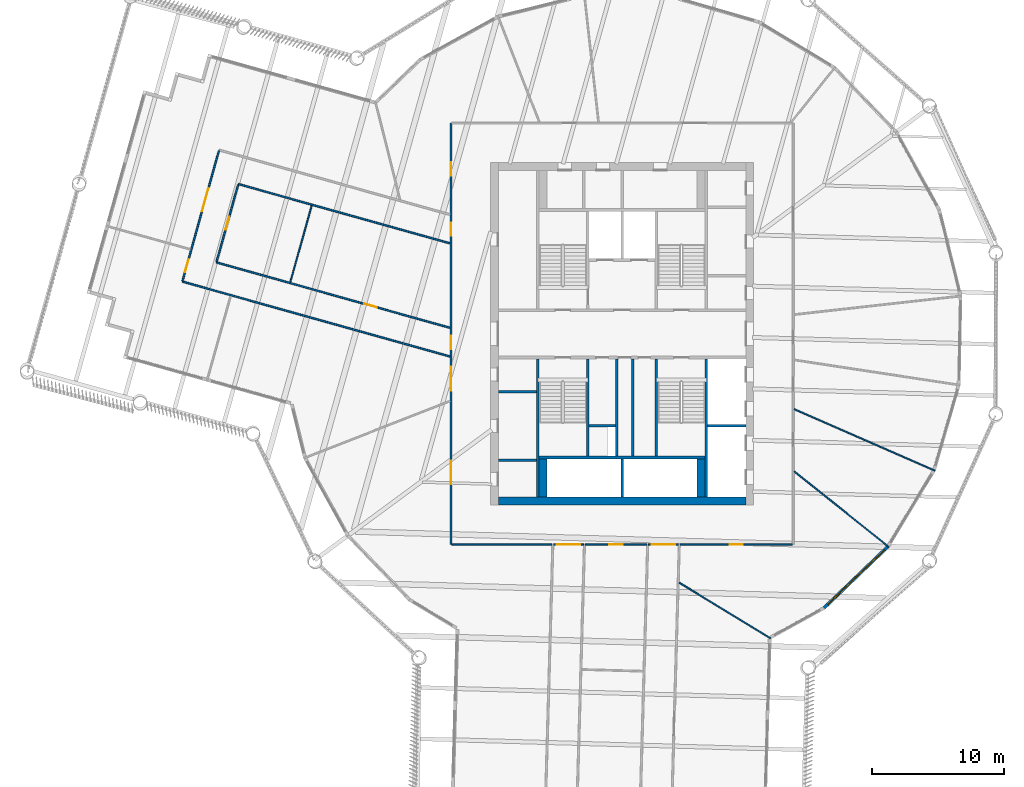
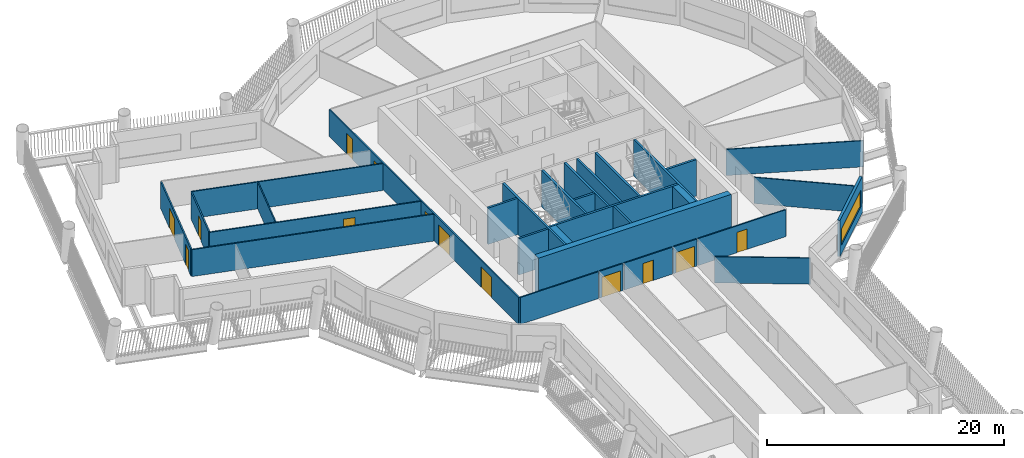
# One storey, part 4 of 15: 31 walls, 13 doors, 1 window, 14 openings.
"""IFC4 building model written with IfcOpenShell, lengths in metres."""

import ifcopenshell
import ifcopenshell.guid

model = None  # the IFC model being written
_history = None  # IfcOwnerHistory: only IFC2X3 demands one
_inside = {}  # id of a spatial element -> (the spatial element, [elements in it])
_under = {}  # id of a project, library or spatial element -> (it, [spatial elements below it])
_declared = {}  # id of a project -> (the project, [libraries it declares])
_typed = {}  # id of a type object -> (the type object, [elements of that type])
_made_of = {}  # id of a material, layer set ... -> (it, [elements and type objects made of it])


def new_model(schema):
    """Start an empty IFC model of exactly this schema.

    Asked for "IFC4X3", IfcOpenShell would pick the latest addendum, in which some entities
    have other attributes; the version numbers below select the first issue.
    IFC2X3 requires an IfcOwnerHistory on every rooted entity: one is made here for all.
    """
    global model, _history
    if schema == "IFC4X3":
        model = ifcopenshell.file(schema_version=(4, 3, 0, 0))
    else:
        model = ifcopenshell.file(schema=schema)
    _inside.clear()
    _under.clear()
    _declared.clear()
    _typed.clear()
    _made_of.clear()
    _history = None
    if model.schema == "IFC2X3":
        org = make("IfcOrganization", Name="unknown")
        user = make(
            "IfcPersonAndOrganization",
            ThePerson=make("IfcPerson", FamilyName="unknown"),
            TheOrganization=org,
        )
        app = make(
            "IfcApplication",
            ApplicationDeveloper=org,
            Version="unknown",
            ApplicationFullName="unknown",
            ApplicationIdentifier="unknown",
        )
        _history = make(
            "IfcOwnerHistory",
            OwningUser=user,
            OwningApplication=app,
            ChangeAction="ADDED",
            CreationDate=0,
        )
    return model


def make(cls, **values):
    """One entity of the class cls with the attributes given. An attribute that is None is left unset."""
    return model.create_entity(
        cls, **{name: value for name, value in values.items() if value is not None}
    )


def rooted(cls, **values):
    """An entity with a GlobalId (a new one), such as an element, a storey or a relation."""
    return make(cls, GlobalId=ifcopenshell.guid.new(), OwnerHistory=_history, **values)


def si_unit(unit_type, name, prefix=None):
    """IfcSIUnit, for example si_unit("LENGTHUNIT", "METRE", prefix="MILLI")."""
    return make("IfcSIUnit", UnitType=unit_type, Prefix=prefix, Name=name)


def assignment(units):
    """IfcUnitAssignment: the units of a project."""
    return None if units is None else make("IfcUnitAssignment", Units=units)


def point(xyz):
    """IfcCartesianPoint."""
    return None if xyz is None else make("IfcCartesianPoint", Coordinates=xyz)


def direction(xyz):
    """IfcDirection."""
    return None if xyz is None else make("IfcDirection", DirectionRatios=xyz)


def frame(location, z_axis=None, x_axis=None):
    """IfcAxis2Placement3D, a coordinate frame: its origin and axes. An axis left out is left unset."""
    return make(
        "IfcAxis2Placement3D",
        Location=point(location),
        Axis=direction(z_axis),
        RefDirection=direction(x_axis),
    )


def frame_2d(location, x_axis=None):
    """IfcAxis2Placement2D, a coordinate frame in the plane: its origin and x axis."""
    return make(
        "IfcAxis2Placement2D", Location=point(location), RefDirection=direction(x_axis)
    )


def origin():
    """The frame at (0, 0, 0) with its axes left unset."""
    return frame((0.0, 0.0, 0.0))


def place(relative_to, where):
    """IfcLocalPlacement: puts the frame where relative to a parent placement (None: the world)."""
    return make(
        "IfcLocalPlacement", PlacementRelTo=relative_to, RelativePlacement=where
    )


def context(
    kind, dimensions, precision=None, world=None, true_north=None, identifier=None
):
    """IfcGeometricRepresentationContext, for example the 3D "Model" context."""
    return make(
        "IfcGeometricRepresentationContext",
        ContextIdentifier=identifier,
        ContextType=kind,
        CoordinateSpaceDimension=dimensions,
        Precision=precision,
        WorldCoordinateSystem=world,
        TrueNorth=true_north,
    )


def subcontext(parent, identifier, kind, view, scale=None):
    """IfcGeometricRepresentationSubContext, for example "Body" below "Model"."""
    return make(
        "IfcGeometricRepresentationSubContext",
        ContextIdentifier=identifier,
        ContextType=kind,
        ParentContext=parent,
        TargetScale=scale,
        TargetView=view,
    )


def project(units=None, contexts=None):
    """IfcProject with its units and contexts."""
    return rooted(
        "IfcProject",
        Name="project",
        RepresentationContexts=contexts,
        UnitsInContext=assignment(units),
    )


def spatial(cls, under=None, at=None, **own):
    """A site, building, storey or space (cls), placed at a placement, below another one or the project."""
    s = rooted(cls, ObjectPlacement=at, **own)
    if under is not None:
        _under.setdefault(under.id(), (under, []))[1].append(s)
    return s


def profile(cls, at=None, kind="AREA", **sizes):
    """A parametric profile (cls). Its sizes go by their IFC names, for example OverallWidth=200.0."""
    return make(cls, ProfileType=kind, Position=at, **sizes)


def rectangle(**sizes):
    """IfcRectangleProfileDef."""
    return profile("IfcRectangleProfileDef", **sizes)


def extrude(swept, where, along, depth):
    """IfcExtrudedAreaSolid: the profile swept, set in the frame where, extruded along a direction by depth."""
    return make(
        "IfcExtrudedAreaSolid",
        SweptArea=swept,
        Position=where,
        ExtrudedDirection=direction(along),
        Depth=depth,
    )


def shape(context_of_items, identifier, shape_type, items):
    """IfcShapeRepresentation: the items that make up one representation, for example the "Body"."""
    return make(
        "IfcShapeRepresentation",
        ContextOfItems=context_of_items,
        RepresentationIdentifier=identifier,
        RepresentationType=shape_type,
        Items=items,
    )


def material(Name=None, Category=None):
    """IfcMaterial."""
    return make("IfcMaterial", Name=Name, Category=Category)


def layer(
    of_material, thickness, ventilated=None, Name=None, Category=None, Priority=None
):
    """IfcMaterialLayer: one layer of a wall or slab, of a material (None: an air gap)."""
    return make(
        "IfcMaterialLayer",
        Material=of_material,
        LayerThickness=thickness,
        IsVentilated=ventilated,
        Name=Name,
        Category=Category,
        Priority=Priority,
    )


def layer_set(layers, Name=None):
    """IfcMaterialLayerSet."""
    return make("IfcMaterialLayerSet", MaterialLayers=layers, LayerSetName=Name)


def made_of(thing, what):
    """Note that an element or type object is made of a material, layer set ...; save() writes the relation."""
    if what is not None:
        _made_of.setdefault(what.id(), (what, []))[1].append(thing)
    return thing


def type_object(cls, material=None, **own):
    """A type object (cls), such as IfcWallType, which elements share."""
    return made_of(rooted(cls, **own), material)


def element(
    cls,
    number,
    at=None,
    inside=None,
    cuts=None,
    type_object=None,
    material=None,
    context=None,
    identifier="Body",
    shape_type=None,
    held_by="IfcProductDefinitionShape",
    body=None,
    shapes=None,
    **own,
):
    """One element of the class cls, such as IfcWall. Its Tag is "e" and its number.

    at: its placement. inside: the storey or other place that contains it. cuts: it is an
    opening in that element (IfcRelVoidsElement). A single representation is given by context,
    identifier, shape_type and body (its items); several are given by shapes. held_by: the class
    of the entity that holds the representations. save() writes the other relations.
    """
    e = rooted(cls, Tag="e%d" % number, ObjectPlacement=at, **own)
    if body is not None:
        shapes = [shape(context, identifier, shape_type, body)]
    if shapes is not None:
        e.Representation = make(held_by, Representations=shapes)
    if inside is not None:
        _inside.setdefault(inside.id(), (inside, []))[1].append(e)
    if cuts is not None:
        rooted(
            "IfcRelVoidsElement", RelatingBuildingElement=cuts, RelatedOpeningElement=e
        )
    if type_object is not None:
        _typed.setdefault(type_object.id(), (type_object, []))[1].append(e)
    return made_of(e, material)


def fill(opening, filler):
    """IfcRelFillsElement: the door or window that sits in an opening."""
    return rooted(
        "IfcRelFillsElement",
        RelatingOpeningElement=opening,
        RelatedBuildingElement=filler,
    )


def aggregate(whole, parts):
    """IfcRelAggregates: a whole, such as a stair, and the parts it consists of."""
    return rooted("IfcRelAggregates", RelatingObject=whole, RelatedObjects=parts)


def save(model, path):
    """Write the relations noted so far, then the file.

    IfcRelAggregates (storeys below a building ...), IfcRelContainedInSpatialStructure (elements
    in a storey), IfcRelDefinesByType, IfcRelAssociatesMaterial and IfcRelDeclares: one each for
    every whole, place, type object, material and project.
    """
    for whole, parts in _under.values():
        aggregate(whole, parts)
    for where, things in _inside.values():
        rooted(
            "IfcRelContainedInSpatialStructure",
            RelatedElements=things,
            RelatingStructure=where,
        )
    for kind, things in _typed.values():
        rooted("IfcRelDefinesByType", RelatedObjects=things, RelatingType=kind)
    for what, things in _made_of.values():
        rooted("IfcRelAssociatesMaterial", RelatedObjects=things, RelatingMaterial=what)
    for by, libraries in _declared.values():
        rooted("IfcRelDeclares", RelatingContext=by, RelatedDefinitions=libraries)
    model.write(path)


model = new_model("IFC4")

# Units and contexts
model_context = context("Model", 3, precision=1e-05, world=origin(), true_north=direction((0.0, 1.0)))
body_context = subcontext(model_context, "Body", "Model", "MODEL_VIEW")
ifc_project = project(units=[si_unit("LENGTHUNIT", "METRE"), si_unit("AREAUNIT", "SQUARE_METRE"), si_unit("VOLUMEUNIT", "CUBIC_METRE"), si_unit("PLANEANGLEUNIT", "RADIAN"), si_unit("MASSUNIT", "GRAM", prefix="KILO")], contexts=[model_context])

# Site, building, storey
site_placement = place(None, origin())
site = spatial("IfcSite", under=ifc_project, at=site_placement, CompositionType="ELEMENT")
building_placement = place(site_placement, origin())
building = spatial("IfcBuilding", under=site, at=building_placement, Name="Tarsis Ring Headquarters", CompositionType="ELEMENT")
storey_placement = place(building_placement, frame((0.0, 0.0, 219.89990234375)))
storey = spatial("IfcBuildingStorey", under=building, at=storey_placement, Name="L51", CompositionType="ELEMENT", Elevation=219.89990234375)

# Walls
ifc_material_1 = material(Name="Blockwork", Category="masonry")
ifc_layer_1 = layer(ifc_material_1, 0.199951171875)
ifc_layer_set_1 = layer_set([ifc_layer_1], Name="Core blockwork wall 200")
wall_type_1 = type_object("IfcWallType", Name="Core blockwork wall 200", PredefinedType="PARTITIONING", material=ifc_layer_set_1)
for number, where, z_axis, x_axis, name in (
    (1, (-9.39990234375, -9.60009765625, 0.0), (0.0, 0.0, 1.0), (1.0, 0.0, 0.0), "Core partition WD1"),
    (2, (-9.39990234375, -4.39990234375, 0.0), (0.0, 0.0, 1.0), (1.0, 0.0, 0.0), "Core partition WD3"),
):
    element("IfcWall", number, at=place(storey_placement, frame(where, z_axis=z_axis, x_axis=x_axis)), inside=storey, type_object=wall_type_1, Name=name, PredefinedType="PARTITIONING", context=body_context, shape_type="SweptSolid", body=[
        extrude(rectangle(XDim=2.89990234375, YDim=0.199951171875, at=frame_2d((1.449951171875, 0.0))), origin(), (0.0, 0.0, 1.0), 3.739990234375),
    ])
wall_1_placement = place(storey_placement, frame((-2.5, -7.0, 0.0), z_axis=(0.0, 0.0, 1.0), x_axis=(1.0, 0.0, 0.0)))
element("IfcWall", 3, at=wall_1_placement, inside=storey, type_object=wall_type_1, Name="Core partition SP1", PredefinedType="PARTITIONING", context=body_context, shape_type="SweptSolid", body=[
    extrude(rectangle(XDim=2.0, YDim=0.199951171875, at=frame_2d((1.0, 0.0))), origin(), (0.0, 0.0, 1.0), 3.739990234375),
])
for number, where, z_axis, x_axis, name in (
    (4, (-0.39990234375, -9.300048828125, 0.0), (0.0, 0.0, 1.0), (0.0, 1.0, 0.0), "Core partition SV1"),
    (5, (0.800048828125, -9.300048828125, 0.0), (0.0, 0.0, 1.0), (0.0, 1.0, 0.0), "Core partition SV2"),
):
    element("IfcWall", number, at=place(storey_placement, frame(where, z_axis=z_axis, x_axis=x_axis)), inside=storey, type_object=wall_type_1, Name=name, PredefinedType="PARTITIONING", context=body_context, shape_type="SweptSolid", body=[
        extrude(rectangle(XDim=7.400146484375, YDim=0.199951171875, at=frame_2d((3.7001953125, 0.0))), origin(), (0.0, 0.0, 1.0), 3.739990234375),
    ])
ifc_material_2 = material(Name="Concrete C50/60", Category="concrete")
ifc_layer_2 = layer(ifc_material_2, 0.60009765625)
ifc_layer_set_2 = layer_set([ifc_layer_2], Name="Core wall 600 C50/60")
wall_type_2 = type_object("IfcWallType", Name="Core wall 600 C50/60", PredefinedType="SHEAR", material=ifc_layer_set_2)
wall_2_placement = place(storey_placement, frame((-9.39990234375, -12.699951171875, 0.0), z_axis=(0.0, 0.0, 1.0), x_axis=(1.0, 0.0, 0.0)))
element("IfcWall", 6, at=wall_2_placement, inside=storey, type_object=wall_type_2, Name="Core wall OS", PredefinedType="SHEAR", context=body_context, shape_type="SweptSolid", body=[
    extrude(rectangle(XDim=18.7998046875, YDim=0.60009765625, at=frame_2d((9.39990234375, 0.0))), origin(), (0.0, 0.0, 1.0), 3.739990234375),
])
ifc_material_3 = material(Name="Gypsum board on steel studs", Category="steel")
ifc_layer_3 = layer(ifc_material_3, 0.10009765625)
ifc_layer_set_3 = layer_set([ifc_layer_3], Name="FL partition 100 unrated")
wall_type_3 = type_object("IfcWallType", Name="FL partition 100 unrated", PredefinedType="PARTITIONING", material=ifc_layer_set_3)
wall_3_placement = place(storey_placement, frame((13.0732421875, -5.722412109375, 0.0), z_axis=(0.0, 0.0, 1.0), x_axis=(0.916084383298, -0.400985539238, 0.0)))
element("IfcWall", 7, at=wall_3_placement, inside=storey, type_object=wall_type_3, Name="Partition PW3", PredefinedType="PARTITIONING", context=body_context, shape_type="SweptSolid", body=[
    extrude(rectangle(XDim=11.67724609375, YDim=0.10009765625, at=frame_2d((5.838623046875, 0.0))), origin(), (0.0, 0.0, 1.0), 2.7001953125),
])
wall_4_placement = place(storey_placement, frame((13.0859375, -10.461181640625, 0.0), z_axis=(0.0, 0.0, 1.0), x_axis=(0.781086368066, -0.624423002156, 0.0)))
element("IfcWall", 8, at=wall_4_placement, inside=storey, type_object=wall_type_3, Name="Partition PW3", PredefinedType="PARTITIONING", context=body_context, shape_type="SweptSolid", body=[
    extrude(rectangle(XDim=9.1943359375, YDim=0.10009765625, at=frame_2d((4.59716796875, 0.0))), origin(), (0.0, 0.0, 1.0), 2.7001953125),
])
wall_5_placement = place(storey_placement, frame((4.340087890625, -18.907958984375, 0.0), z_axis=(0.0, 0.0, 1.0), x_axis=(0.853646762004, -0.520852383809, 0.0)))
element("IfcWall", 9, at=wall_5_placement, inside=storey, type_object=wall_type_3, Name="Partition PW3", PredefinedType="PARTITIONING", context=body_context, shape_type="SweptSolid", body=[
    extrude(rectangle(XDim=8.115234375, YDim=0.10009765625, at=frame_2d((4.0576171875, 0.0))), origin(), (0.0, 0.0, 1.0), 2.7001953125),
])
wall_6_placement = place(storey_placement, frame((-25.206298828125, 3.920654296875, 0.0), z_axis=(0.0, 0.0, 1.0), x_axis=(0.269602938613, 0.96297157564, 0.0)))
element("IfcWall", 10, at=wall_6_placement, inside=storey, type_object=wall_type_3, Name="Partition PW3", PredefinedType="PARTITIONING", context=body_context, shape_type="SweptSolid", body=[
    extrude(rectangle(XDim=6.0400390625, YDim=0.10009765625, at=frame_2d((3.02001953125, 0.0))), origin(), (0.0, 0.0, 1.0), 2.7001953125),
])

# Wall, openings, doors
ifc_layer_4 = layer(ifc_material_3, 0.125)
ifc_layer_set_4 = layer_set([ifc_layer_4], Name="FL partition 125 EI 60 H2770")
wall_type_4 = type_object("IfcWallType", Name="FL partition 125 EI 60 H2770", PredefinedType="PARTITIONING", material=ifc_layer_set_4)
wall_7_placement = place(storey_placement, frame((-13.0, -15.998046875, 0.0), z_axis=(0.0, 0.0, 1.0), x_axis=(0.0, 1.0, 0.0)))
wall_7 = element("IfcWall", 11, at=wall_7_placement, inside=storey, type_object=wall_type_4, Name="Partition PW1", PredefinedType="PARTITIONING", context=body_context, shape_type="SweptSolid", body=[
    extrude(rectangle(XDim=31.998046875, YDim=0.125, at=frame_2d((15.9990234375, 0.0))), origin(), (0.0, 0.0, 1.0), 2.77001953125),
])
opening_1_placement = place(wall_7_placement, frame((28.012451171875, 0.0, 0.0)))
opening_1 = element("IfcOpeningElement", 12, at=opening_1_placement, cuts=wall_7, Name="Opening D51.03", PredefinedType="OPENING", context=body_context, shape_type="SweptSolid", body=[
    extrude(rectangle(XDim=1.0, YDim=2.10009765625, at=frame_2d((0.5, 1.050048828125))), frame((0.0, 0.072509765625, 0.0), z_axis=(0.0, -1.0, 0.0), x_axis=(1.0, 0.0, 0.0)), (0.0, 0.0, 1.0), 0.14501953125),
])
opening_2_placement = place(wall_7_placement, frame((4.556884765625, 0.0, 0.0)))
opening_2 = element("IfcOpeningElement", 13, at=opening_2_placement, cuts=wall_7, Name="Opening D51.14", PredefinedType="OPENING", context=body_context, shape_type="SweptSolid", body=[
    extrude(rectangle(XDim=1.800048828125, YDim=2.10009765625, at=frame_2d((0.89990234375, 1.050048828125))), frame((0.0, 0.072509765625, 0.0), z_axis=(0.0, -1.0, 0.0), x_axis=(1.0, 0.0, 0.0)), (0.0, 0.0, 1.0), 0.14501953125),
])
opening_3_placement = place(wall_7_placement, frame((11.680908203125, 0.0, 0.0)))
opening_3 = element("IfcOpeningElement", 14, at=opening_3_placement, cuts=wall_7, Name="Opening D51.15", PredefinedType="OPENING", context=body_context, shape_type="SweptSolid", body=[
    extrude(rectangle(XDim=1.800048828125, YDim=2.10009765625, at=frame_2d((0.89990234375, 1.050048828125))), frame((0.0, 0.072509765625, 0.0), z_axis=(0.0, -1.0, 0.0), x_axis=(1.0, 0.0, 0.0)), (0.0, 0.0, 1.0), 0.14501953125),
])
opening_4_placement = place(wall_7_placement, frame((14.83837890625, 0.0, 0.0)))
opening_4 = element("IfcOpeningElement", 15, at=opening_4_placement, cuts=wall_7, Name="Opening D51.22", PredefinedType="OPENING", context=body_context, shape_type="SweptSolid", body=[
    extrude(rectangle(XDim=1.0, YDim=2.10009765625, at=frame_2d((0.5, 1.050048828125))), frame((0.0, 0.072509765625, 0.0), z_axis=(0.0, -1.0, 0.0), x_axis=(1.0, 0.0, 0.0)), (0.0, 0.0, 1.0), 0.14501953125),
])
opening_5_placement = place(wall_7_placement, frame((23.4365234375, 0.0, 0.0)))
opening_5 = element("IfcOpeningElement", 16, at=opening_5_placement, cuts=wall_7, Name="Opening D51.23", PredefinedType="OPENING", context=body_context, shape_type="SweptSolid", body=[
    extrude(rectangle(XDim=1.0, YDim=2.10009765625, at=frame_2d((0.5, 1.050048828125))), frame((0.0, 0.072509765625, 0.0), z_axis=(0.0, -1.0, 0.0), x_axis=(1.0, 0.0, 0.0)), (0.0, 0.0, 1.0), 0.14501953125),
])
ifc_material_4 = material(Name="Fire-rated timber door leaf in steel frame", Category="steel")
door_type_1 = type_object("IfcDoorType", Name="FL door FD60-1000", OperationType="NOTDEFINED", PredefinedType="DOOR", material=ifc_material_4)
door_1_placement = place(opening_1_placement, origin())
door_1 = element("IfcDoor", 17, at=door_1_placement, inside=storey, type_object=door_type_1, Name="Door D51.03", OperationType="SINGLE_SWING_RIGHT", OverallHeight=2.10009765625, OverallWidth=1.0, PredefinedType="DOOR", context=body_context, shape_type="SweptSolid", body=[
    extrude(rectangle(XDim=1.0, YDim=2.10009765625, at=frame_2d((0.5, 1.050048828125))), frame((0.0, 0.02490234375, 0.0), z_axis=(0.0, -1.0, 0.0), x_axis=(1.0, 0.0, 0.0)), (0.0, 0.0, 1.0), 0.050048828125),
])
fill(opening_1, door_1)
door_2_placement = place(opening_4_placement, origin())
door_2 = element("IfcDoor", 18, at=door_2_placement, inside=storey, type_object=door_type_1, Name="Door D51.22", OperationType="SINGLE_SWING_LEFT", OverallHeight=2.10009765625, OverallWidth=1.0, PredefinedType="DOOR", context=body_context, shape_type="SweptSolid", body=[
    extrude(rectangle(XDim=1.0, YDim=2.10009765625, at=frame_2d((0.5, 1.050048828125))), frame((0.0, 0.02490234375, 0.0), z_axis=(0.0, -1.0, 0.0), x_axis=(1.0, 0.0, 0.0)), (0.0, 0.0, 1.0), 0.050048828125),
])
fill(opening_4, door_2)
door_3_placement = place(opening_5_placement, origin())
door_3 = element("IfcDoor", 19, at=door_3_placement, inside=storey, type_object=door_type_1, Name="Door D51.23", OperationType="SINGLE_SWING_RIGHT", OverallHeight=2.10009765625, OverallWidth=1.0, PredefinedType="DOOR", context=body_context, shape_type="SweptSolid", body=[
    extrude(rectangle(XDim=1.0, YDim=2.10009765625, at=frame_2d((0.5, 1.050048828125))), frame((0.0, 0.02490234375, 0.0), z_axis=(0.0, -1.0, 0.0), x_axis=(1.0, 0.0, 0.0)), (0.0, 0.0, 1.0), 0.050048828125),
])
fill(opening_5, door_3)
door_type_2 = type_object("IfcDoorType", Name="FL door FD60-1800", OperationType="DOUBLE_DOOR_SINGLE_SWING", PredefinedType="DOOR", material=ifc_material_4)
door_4_placement = place(opening_2_placement, origin())
door_4 = element("IfcDoor", 20, at=door_4_placement, inside=storey, type_object=door_type_2, Name="Door D51.14", OperationType="DOUBLE_DOOR_SINGLE_SWING", OverallHeight=2.10009765625, OverallWidth=1.800048828125, PredefinedType="DOOR", context=body_context, shape_type="SweptSolid", body=[
    extrude(rectangle(XDim=1.800048828125, YDim=2.10009765625, at=frame_2d((0.89990234375, 1.050048828125))), frame((0.0, 0.02490234375, 0.0), z_axis=(0.0, -1.0, 0.0), x_axis=(1.0, 0.0, 0.0)), (0.0, 0.0, 1.0), 0.050048828125),
])
fill(opening_2, door_4)
door_5_placement = place(opening_3_placement, origin())
door_5 = element("IfcDoor", 21, at=door_5_placement, inside=storey, type_object=door_type_2, Name="Door D51.15", OperationType="DOUBLE_DOOR_SINGLE_SWING", OverallHeight=2.10009765625, OverallWidth=1.800048828125, PredefinedType="DOOR", context=body_context, shape_type="SweptSolid", body=[
    extrude(rectangle(XDim=1.800048828125, YDim=2.10009765625, at=frame_2d((0.89990234375, 1.050048828125))), frame((0.0, 0.02490234375, 0.0), z_axis=(0.0, -1.0, 0.0), x_axis=(1.0, 0.0, 0.0)), (0.0, 0.0, 1.0), 0.050048828125),
])
fill(opening_3, door_5)

# Wall
wall_8_placement = place(storey_placement, frame((-12.93798828125, -16.0, 0.0), z_axis=(0.0, 0.0, 1.0), x_axis=(1.0, 0.0, 0.0)))
element("IfcWall", 22, at=wall_8_placement, inside=storey, type_object=wall_type_4, Name="Partition PW1", PredefinedType="PARTITIONING", context=body_context, shape_type="SweptSolid", body=[
    extrude(rectangle(XDim=7.613525390625, YDim=0.125, at=frame_2d((3.806640625, 0.0))), origin(), (0.0, 0.0, 1.0), 2.77001953125),
])

# Wall, opening, door
wall_9_placement = place(storey_placement, frame((-5.197509765625, -16.0, 0.0), z_axis=(0.0, 0.0, 1.0), x_axis=(1.0, 0.0, 0.0)))
wall_9 = element("IfcWall", 23, at=wall_9_placement, inside=storey, type_object=wall_type_4, Name="Partition PW1", PredefinedType="PARTITIONING", context=body_context, shape_type="SweptSolid", body=[
    extrude(rectangle(XDim=2.274169921875, YDim=0.125, at=frame_2d((1.13720703125, 0.0))), origin(), (0.0, 0.0, 1.0), 2.77001953125),
])
opening_6_placement = place(wall_9_placement, frame((0.238037109375, 0.0, 0.0)))
opening_6 = element("IfcOpeningElement", 24, at=opening_6_placement, cuts=wall_9, Name="Opening D51.20", PredefinedType="OPENING", context=body_context, shape_type="SweptSolid", body=[
    extrude(rectangle(XDim=1.800048828125, YDim=2.10009765625, at=frame_2d((0.89990234375, 1.050048828125))), frame((0.0, 0.072509765625, 0.0), z_axis=(0.0, -1.0, 0.0), x_axis=(1.0, 0.0, 0.0)), (0.0, 0.0, 1.0), 0.14501953125),
])
door_6_placement = place(opening_6_placement, origin())
door_6 = element("IfcDoor", 25, at=door_6_placement, inside=storey, type_object=door_type_2, Name="Door D51.20", OperationType="DOUBLE_DOOR_SINGLE_SWING", OverallHeight=2.10009765625, OverallWidth=1.800048828125, PredefinedType="DOOR", context=body_context, shape_type="SweptSolid", body=[
    extrude(rectangle(XDim=1.800048828125, YDim=2.10009765625, at=frame_2d((0.89990234375, 1.050048828125))), frame((0.0, 0.02490234375, 0.0), z_axis=(0.0, -1.0, 0.0), x_axis=(1.0, 0.0, 0.0)), (0.0, 0.0, 1.0), 0.050048828125),
])
fill(opening_6, door_6)

wall_10_placement = place(storey_placement, frame((-2.796630859375, -16.0, 0.0), z_axis=(0.0, 0.0, 1.0), x_axis=(1.0, 0.0, 0.0)))
wall_10 = element("IfcWall", 26, at=wall_10_placement, inside=storey, type_object=wall_type_4, Name="Partition PW1", PredefinedType="PARTITIONING", context=body_context, shape_type="SweptSolid", body=[
    extrude(rectangle(XDim=4.67529296875, YDim=0.125, at=frame_2d((2.337646484375, 0.0))), origin(), (0.0, 0.0, 1.0), 2.77001953125),
])
opening_7_placement = place(wall_10_placement, frame((1.83837890625, 0.0, 0.0)))
opening_7 = element("IfcOpeningElement", 27, at=opening_7_placement, cuts=wall_10, Name="Opening D51.18", PredefinedType="OPENING", context=body_context, shape_type="SweptSolid", body=[
    extrude(rectangle(XDim=1.0, YDim=2.10009765625, at=frame_2d((0.5, 1.050048828125))), frame((0.0, 0.072509765625, 0.0), z_axis=(0.0, -1.0, 0.0), x_axis=(1.0, 0.0, 0.0)), (0.0, 0.0, 1.0), 0.14501953125),
])
door_7_placement = place(opening_7_placement, origin())
door_7 = element("IfcDoor", 28, at=door_7_placement, inside=storey, type_object=door_type_1, Name="Door D51.18", OperationType="SINGLE_SWING_LEFT", OverallHeight=2.10009765625, OverallWidth=1.0, PredefinedType="DOOR", context=body_context, shape_type="SweptSolid", body=[
    extrude(rectangle(XDim=1.0, YDim=2.10009765625, at=frame_2d((0.5, 1.050048828125))), frame((0.0, 0.02490234375, 0.0), z_axis=(0.0, -1.0, 0.0), x_axis=(1.0, 0.0, 0.0)), (0.0, 0.0, 1.0), 0.050048828125),
])
fill(opening_7, door_7)

wall_11_placement = place(storey_placement, frame((2.00537109375, -16.0, 0.0), z_axis=(0.0, 0.0, 1.0), x_axis=(1.0, 0.0, 0.0)))
wall_11 = element("IfcWall", 29, at=wall_11_placement, inside=storey, type_object=wall_type_4, Name="Partition PW1", PredefinedType="PARTITIONING", context=body_context, shape_type="SweptSolid", body=[
    extrude(rectangle(XDim=2.274169921875, YDim=0.125, at=frame_2d((1.13720703125, 0.0))), origin(), (0.0, 0.0, 1.0), 2.77001953125),
])
opening_8_placement = place(wall_11_placement, frame((0.238037109375, 0.0, 0.0)))
opening_8 = element("IfcOpeningElement", 30, at=opening_8_placement, cuts=wall_11, Name="Opening D51.21", PredefinedType="OPENING", context=body_context, shape_type="SweptSolid", body=[
    extrude(rectangle(XDim=1.800048828125, YDim=2.10009765625, at=frame_2d((0.89990234375, 1.050048828125))), frame((0.0, 0.072509765625, 0.0), z_axis=(0.0, -1.0, 0.0), x_axis=(1.0, 0.0, 0.0)), (0.0, 0.0, 1.0), 0.14501953125),
])
door_8_placement = place(opening_8_placement, origin())
door_8 = element("IfcDoor", 31, at=door_8_placement, inside=storey, type_object=door_type_2, Name="Door D51.21", OperationType="DOUBLE_DOOR_SINGLE_SWING", OverallHeight=2.10009765625, OverallWidth=1.800048828125, PredefinedType="DOOR", context=body_context, shape_type="SweptSolid", body=[
    extrude(rectangle(XDim=1.800048828125, YDim=2.10009765625, at=frame_2d((0.89990234375, 1.050048828125))), frame((0.0, 0.02490234375, 0.0), z_axis=(0.0, -1.0, 0.0), x_axis=(1.0, 0.0, 0.0)), (0.0, 0.0, 1.0), 0.050048828125),
])
fill(opening_8, door_8)

wall_12_placement = place(storey_placement, frame((4.40625, -16.0, 0.0), z_axis=(0.0, 0.0, 1.0), x_axis=(1.0, 0.0, 0.0)))
wall_12 = element("IfcWall", 32, at=wall_12_placement, inside=storey, type_object=wall_type_4, Name="Partition PW1", PredefinedType="PARTITIONING", context=body_context, shape_type="SweptSolid", body=[
    extrude(rectangle(XDim=8.53369140625, YDim=0.125, at=frame_2d((4.266845703125, 0.0))), origin(), (0.0, 0.0, 1.0), 2.77001953125),
])
opening_9_placement = place(wall_12_placement, frame((3.765625, 0.0, 0.0)))
opening_9 = element("IfcOpeningElement", 33, at=opening_9_placement, cuts=wall_12, Name="Opening D51.10", PredefinedType="OPENING", context=body_context, shape_type="SweptSolid", body=[
    extrude(rectangle(XDim=1.0, YDim=2.10009765625, at=frame_2d((0.5, 1.050048828125))), frame((0.0, 0.072509765625, 0.0), z_axis=(0.0, -1.0, 0.0), x_axis=(1.0, 0.0, 0.0)), (0.0, 0.0, 1.0), 0.14501953125),
])
door_9_placement = place(opening_9_placement, origin())
door_9 = element("IfcDoor", 34, at=door_9_placement, inside=storey, type_object=door_type_1, Name="Door D51.10", OperationType="SINGLE_SWING_LEFT", OverallHeight=2.10009765625, OverallWidth=1.0, PredefinedType="DOOR", context=body_context, shape_type="SweptSolid", body=[
    extrude(rectangle(XDim=1.0, YDim=2.10009765625, at=frame_2d((0.5, 1.050048828125))), frame((0.0, 0.02490234375, 0.0), z_axis=(0.0, -1.0, 0.0), x_axis=(1.0, 0.0, 0.0)), (0.0, 0.0, 1.0), 0.050048828125),
])
fill(opening_9, door_9)

# Wall
wall_13_placement = place(storey_placement, frame((-33.408447265625, 3.96337890625, 0.0), z_axis=(0.0, 0.0, 1.0), x_axis=(0.962975547906, -0.269588750017, 0.0)))
element("IfcWall", 35, at=wall_13_placement, inside=storey, type_object=wall_type_4, Name="Partition PW1", PredefinedType="PARTITIONING", context=body_context, shape_type="SweptSolid", body=[
    extrude(rectangle(XDim=21.11328125, YDim=0.125, at=frame_2d((10.556640625, 0.0))), origin(), (0.0, 0.0, 1.0), 2.77001953125),
])

# Wall, opening, door
wall_14_placement = place(storey_placement, frame((-30.820068359375, 5.41943359375, 0.0), z_axis=(0.0, 0.0, 1.0), x_axis=(0.96297530321, -0.269589624073, 0.0)))
wall_14 = element("IfcWall", 36, at=wall_14_placement, inside=storey, type_object=wall_type_4, Name="Partition PW1", PredefinedType="PARTITIONING", context=body_context, shape_type="SweptSolid", body=[
    extrude(rectangle(XDim=18.42529296875, YDim=0.125, at=frame_2d((9.212646484375, 0.0))), origin(), (0.0, 0.0, 1.0), 2.77001953125),
])
opening_10_placement = place(wall_14_placement, frame((11.65771484375, 0.0, 0.0)))
opening_10 = element("IfcOpeningElement", 37, at=opening_10_placement, cuts=wall_14, Name="Opening D51.16", PredefinedType="OPENING", context=body_context, shape_type="SweptSolid", body=[
    extrude(rectangle(XDim=1.0, YDim=2.10009765625, at=frame_2d((0.5, 1.050048828125))), frame((0.0, 0.072509765625, 0.0), z_axis=(0.0, -1.0, 0.0), x_axis=(1.0, 0.0, 0.0)), (0.0, 0.0, 1.0), 0.14501953125),
])
door_10_placement = place(opening_10_placement, origin())
door_10 = element("IfcDoor", 38, at=door_10_placement, inside=storey, type_object=door_type_1, Name="Door D51.16", OperationType="SINGLE_SWING_LEFT", OverallHeight=2.10009765625, OverallWidth=1.0, PredefinedType="DOOR", context=body_context, shape_type="SweptSolid", body=[
    extrude(rectangle(XDim=1.0, YDim=2.10009765625, at=frame_2d((0.5, 1.050048828125))), frame((0.0, 0.02490234375, 0.0), z_axis=(0.0, -1.0, 0.0), x_axis=(1.0, 0.0, 0.0)), (0.0, 0.0, 1.0), 0.050048828125),
])
fill(opening_10, door_10)

# Wall
wall_15_placement = place(storey_placement, frame((-29.154052734375, 11.37060546875, 0.0), z_axis=(0.0, 0.0, 1.0), x_axis=(0.962977535349, -0.269581650734, 0.0)))
element("IfcWall", 39, at=wall_15_placement, inside=storey, type_object=wall_type_4, Name="Partition PW1", PredefinedType="PARTITIONING", context=body_context, shape_type="SweptSolid", body=[
    extrude(rectangle(XDim=16.6953125, YDim=0.125, at=frame_2d((8.34765625, 0.0))), origin(), (0.0, 0.0, 1.0), 2.77001953125),
])

# Wall, openings, doors
wall_16_placement = place(storey_placement, frame((-33.392333984375, 4.021240234375, 0.0), z_axis=(0.0, 0.0, 1.0), x_axis=(0.269600799097, 0.962972174638, 0.0)))
wall_16 = element("IfcWall", 40, at=wall_16_placement, inside=storey, type_object=wall_type_4, Name="Partition PW1", PredefinedType="PARTITIONING", context=body_context, shape_type="SweptSolid", body=[
    extrude(rectangle(XDim=10.260009765625, YDim=0.125, at=frame_2d((5.1298828125, 0.0))), origin(), (0.0, 0.0, 1.0), 2.77001953125),
])
opening_11_placement = place(wall_16_placement, frame((0.70166015625, 0.0, 0.0)))
opening_11 = element("IfcOpeningElement", 41, at=opening_11_placement, cuts=wall_16, Name="Opening D51.01", PredefinedType="OPENING", context=body_context, shape_type="SweptSolid", body=[
    extrude(rectangle(XDim=1.0, YDim=2.10009765625, at=frame_2d((0.5, 1.050048828125))), frame((0.0, 0.072509765625, 0.0), z_axis=(0.0, -1.0, 0.0), x_axis=(1.0, 0.0, 0.0)), (0.0, 0.0, 1.0), 0.14501953125),
])
opening_12_placement = place(wall_16_placement, frame((5.49169921875, 0.0, 0.0)))
opening_12 = element("IfcOpeningElement", 42, at=opening_12_placement, cuts=wall_16, Name="Opening D51.02", PredefinedType="OPENING", context=body_context, shape_type="SweptSolid", body=[
    extrude(rectangle(XDim=1.800048828125, YDim=2.10009765625, at=frame_2d((0.89990234375, 1.050048828125))), frame((0.0, 0.072509765625, 0.0), z_axis=(0.0, -1.0, 0.0), x_axis=(1.0, 0.0, 0.0)), (0.0, 0.0, 1.0), 0.14501953125),
])
door_11_placement = place(opening_11_placement, origin())
door_11 = element("IfcDoor", 43, at=door_11_placement, inside=storey, type_object=door_type_1, Name="Door D51.01", OperationType="SINGLE_SWING_RIGHT", OverallHeight=2.10009765625, OverallWidth=1.0, PredefinedType="DOOR", context=body_context, shape_type="SweptSolid", body=[
    extrude(rectangle(XDim=1.0, YDim=2.10009765625, at=frame_2d((0.5, 1.050048828125))), frame((0.0, 0.02490234375, 0.0), z_axis=(0.0, -1.0, 0.0), x_axis=(1.0, 0.0, 0.0)), (0.0, 0.0, 1.0), 0.050048828125),
])
fill(opening_11, door_11)
door_12_placement = place(opening_12_placement, origin())
door_12 = element("IfcDoor", 44, at=door_12_placement, inside=storey, type_object=door_type_2, Name="Door D51.02", OperationType="DOUBLE_DOOR_SINGLE_SWING", OverallHeight=2.10009765625, OverallWidth=1.800048828125, PredefinedType="DOOR", context=body_context, shape_type="SweptSolid", body=[
    extrude(rectangle(XDim=1.800048828125, YDim=2.10009765625, at=frame_2d((0.89990234375, 1.050048828125))), frame((0.0, 0.02490234375, 0.0), z_axis=(0.0, -1.0, 0.0), x_axis=(1.0, 0.0, 0.0)), (0.0, 0.0, 1.0), 0.050048828125),
])
fill(opening_12, door_12)

# Wall, opening, door
wall_17_placement = place(storey_placement, frame((-30.803955078125, 5.477294921875, 0.0), z_axis=(0.0, 0.0, 1.0), x_axis=(0.269598544793, 0.962972805766, 0.0)))
wall_17 = element("IfcWall", 45, at=wall_17_placement, inside=storey, type_object=wall_type_4, Name="Partition PW1", PredefinedType="PARTITIONING", context=body_context, shape_type="SweptSolid", body=[
    extrude(rectangle(XDim=6.06005859375, YDim=0.125, at=frame_2d((3.030029296875, 0.0))), origin(), (0.0, 0.0, 1.0), 2.77001953125),
])
opening_13_placement = place(wall_17_placement, frame((2.530029296875, 0.0, 0.0)))
opening_13 = element("IfcOpeningElement", 46, at=opening_13_placement, cuts=wall_17, Name="Opening D51.17", PredefinedType="OPENING", context=body_context, shape_type="SweptSolid", body=[
    extrude(rectangle(XDim=1.0, YDim=2.10009765625, at=frame_2d((0.5, 1.050048828125))), frame((0.0, 0.072509765625, 0.0), z_axis=(0.0, -1.0, 0.0), x_axis=(1.0, 0.0, 0.0)), (0.0, 0.0, 1.0), 0.14501953125),
])
door_13_placement = place(opening_13_placement, origin())
door_13 = element("IfcDoor", 47, at=door_13_placement, inside=storey, type_object=door_type_1, Name="Door D51.17", OperationType="SINGLE_SWING_RIGHT", OverallHeight=2.10009765625, OverallWidth=1.0, PredefinedType="DOOR", context=body_context, shape_type="SweptSolid", body=[
    extrude(rectangle(XDim=1.0, YDim=2.10009765625, at=frame_2d((0.5, 1.050048828125))), frame((0.0, 0.02490234375, 0.0), z_axis=(0.0, -1.0, 0.0), x_axis=(1.0, 0.0, 0.0)), (0.0, 0.0, 1.0), 0.050048828125),
])
fill(opening_13, door_13)

# Wall, opening, window
ifc_material_5 = material(Name="Terracotta clad insulated panel wall", Category="masonry")
ifc_layer_5 = layer(ifc_material_5, 0.25)
ifc_layer_set_5 = layer_set([ifc_layer_5], Name="Facade wall terracotta panel 250")
wall_type_5 = type_object("IfcWallType", Name="Facade wall terracotta panel 250", PredefinedType="STANDARD", material=ifc_layer_set_5)
wall_18_placement = place(storey_placement, frame((15.351318359375, -20.824951171875, 0.0), z_axis=(0.0, 0.0, 1.0), x_axis=(0.721041727161, 0.6928916421, 0.0)))
wall_18 = element("IfcWall", 48, at=wall_18_placement, inside=storey, type_object=wall_type_5, Name="External wall L51-18", PredefinedType="STANDARD", context=body_context, shape_type="SweptSolid", body=[
    extrude(rectangle(XDim=6.721435546875, YDim=0.25, at=frame_2d((3.36083984375, 0.0))), origin(), (0.0, 0.0, 1.0), 3.739990234375),
])
opening_14_placement = place(wall_18_placement, frame((0.3857421875, 0.0, 0.89990234375)))
opening_14 = element("IfcOpeningElement", 49, at=opening_14_placement, cuts=wall_18, Name="Opening WN07", PredefinedType="OPENING", context=body_context, shape_type="SweptSolid", body=[
    extrude(rectangle(XDim=5.949951171875, YDim=1.699951171875, at=frame_2d((2.97509765625, 0.85009765625))), frame((0.0, 0.135009765625, 0.0), z_axis=(0.0, -1.0, 0.0), x_axis=(1.0, 0.0, 0.0)), (0.0, 0.0, 1.0), 0.27001953125),
])
ifc_material_6 = material(Name="Aluminium framed double glazing", Category="aluminium")
window_type = type_object("IfcWindowType", Name="Facade window 5950 x 1700", PartitioningType="SINGLE_PANEL", PredefinedType="WINDOW", material=ifc_material_6)
window_placement = place(opening_14_placement, origin())
window = element("IfcWindow", 50, at=window_placement, inside=storey, type_object=window_type, Name="Window L51-18.1", OverallHeight=1.699951171875, OverallWidth=5.949951171875, PartitioningType="SINGLE_PANEL", PredefinedType="WINDOW", context=body_context, shape_type="SweptSolid", body=[
    extrude(rectangle(XDim=5.949951171875, YDim=1.699951171875, at=frame_2d((2.97509765625, 0.85009765625))), frame((0.0, 0.030029296875, 0.0), z_axis=(0.0, -1.0, 0.0), x_axis=(1.0, 0.0, 0.0)), (0.0, 0.0, 1.0), 0.06005859375),
])
fill(opening_14, window)

# Walls
ifc_material_7 = material(Name="Concrete C32/40", Category="concrete")
ifc_layer_6 = layer(ifc_material_7, 0.60009765625)
ifc_layer_set_6 = layer_set([ifc_layer_6], Name="Shaft end wall 600 C32/40")
wall_type_6 = type_object("IfcWallType", Name="Shaft end wall 600 C32/40", PredefinedType="SOLIDWALL", material=ifc_layer_set_6)
for number, where, z_axis, x_axis, name in (
    (51, (-6.0, -12.39990234375, 0.0), (0.0, 0.0, 1.0), (0.0, 1.0, 0.0), "Core shaft wall SNE1"),
    (52, (6.0, -12.39990234375, 0.0), (0.0, 0.0, 1.0), (0.0, 1.0, 0.0), "Core shaft wall SNE2"),
):
    element("IfcWall", number, at=place(storey_placement, frame(where, z_axis=z_axis, x_axis=x_axis)), inside=storey, type_object=wall_type_6, Name=name, PredefinedType="SOLIDWALL", context=body_context, shape_type="SweptSolid", body=[
        extrude(rectangle(XDim=2.89990234375, YDim=0.60009765625, at=frame_2d((1.449951171875, 0.0))), origin(), (0.0, 0.0, 1.0), 3.739990234375),
    ])
ifc_layer_7 = layer(ifc_material_7, 0.199951171875)
ifc_layer_set_7 = layer_set([ifc_layer_7], Name="Shaft wall 200 C32/40")
wall_type_7 = type_object("IfcWallType", Name="Shaft wall 200 C32/40", PredefinedType="SOLIDWALL", material=ifc_layer_set_7)
for number, where, z_axis, x_axis, name in (
    (53, (-6.39990234375, -12.39990234375, 0.0), (0.0, 0.0, 1.0), (0.0, 1.0, 0.0), "Core shaft wall WB1"),
    (54, (6.39990234375, -12.39990234375, 0.0), (0.0, 0.0, 1.0), (0.0, 1.0, 0.0), "Core shaft wall EB1"),
):
    element("IfcWall", number, at=place(storey_placement, frame(where, z_axis=z_axis, x_axis=x_axis)), inside=storey, type_object=wall_type_7, Name=name, PredefinedType="SOLIDWALL", context=body_context, shape_type="SweptSolid", body=[
        extrude(rectangle(XDim=10.5, YDim=0.199951171875, at=frame_2d((5.25, 0.0))), origin(), (0.0, 0.0, 1.0), 3.739990234375),
    ])
wall_19_placement = place(storey_placement, frame((-6.300048828125, -9.39990234375, 0.0), z_axis=(0.0, 0.0, 1.0), x_axis=(1.0, 0.0, 0.0)))
element("IfcWall", 55, at=wall_19_placement, inside=storey, type_object=wall_type_7, Name="Core shaft wall SB", PredefinedType="SOLIDWALL", context=body_context, shape_type="SweptSolid", body=[
    extrude(rectangle(XDim=12.60009765625, YDim=0.199951171875, at=frame_2d((6.300048828125, 0.0))), origin(), (0.0, 0.0, 1.0), 3.739990234375),
])
for number, where, z_axis, x_axis, name in (
    (56, (-2.60009765625, -9.300048828125, 0.0), (0.0, 0.0, 1.0), (0.0, 1.0, 0.0), "Core shaft wall SW3"),
    (57, (2.60009765625, -9.300048828125, 0.0), (0.0, 0.0, 1.0), (0.0, 1.0, 0.0), "Core shaft wall SW4"),
):
    element("IfcWall", number, at=place(storey_placement, frame(where, z_axis=z_axis, x_axis=x_axis)), inside=storey, type_object=wall_type_7, Name=name, PredefinedType="SOLIDWALL", context=body_context, shape_type="SweptSolid", body=[
        extrude(rectangle(XDim=7.400146484375, YDim=0.199951171875, at=frame_2d((3.7001953125, 0.0))), origin(), (0.0, 0.0, 1.0), 3.739990234375),
    ])
for number, where, z_axis, x_axis, name in (
    (58, (6.5, -7.0, 0.0), (0.0, 0.0, 1.0), (1.0, 0.0, 0.0), "Core shaft wall ED2"),
    (59, (0.0, -12.39990234375, 0.0), (0.0, 0.0, 1.0), (0.0, 1.0, 0.0), "Core shaft wall SD2"),
):
    element("IfcWall", number, at=place(storey_placement, frame(where, z_axis=z_axis, x_axis=x_axis)), inside=storey, type_object=wall_type_7, Name=name, PredefinedType="SOLIDWALL", context=body_context, shape_type="SweptSolid", body=[
        extrude(rectangle(XDim=2.89990234375, YDim=0.199951171875, at=frame_2d((1.449951171875, 0.0))), origin(), (0.0, 0.0, 1.0), 3.739990234375),
    ])

save(model, "model.ifc")
